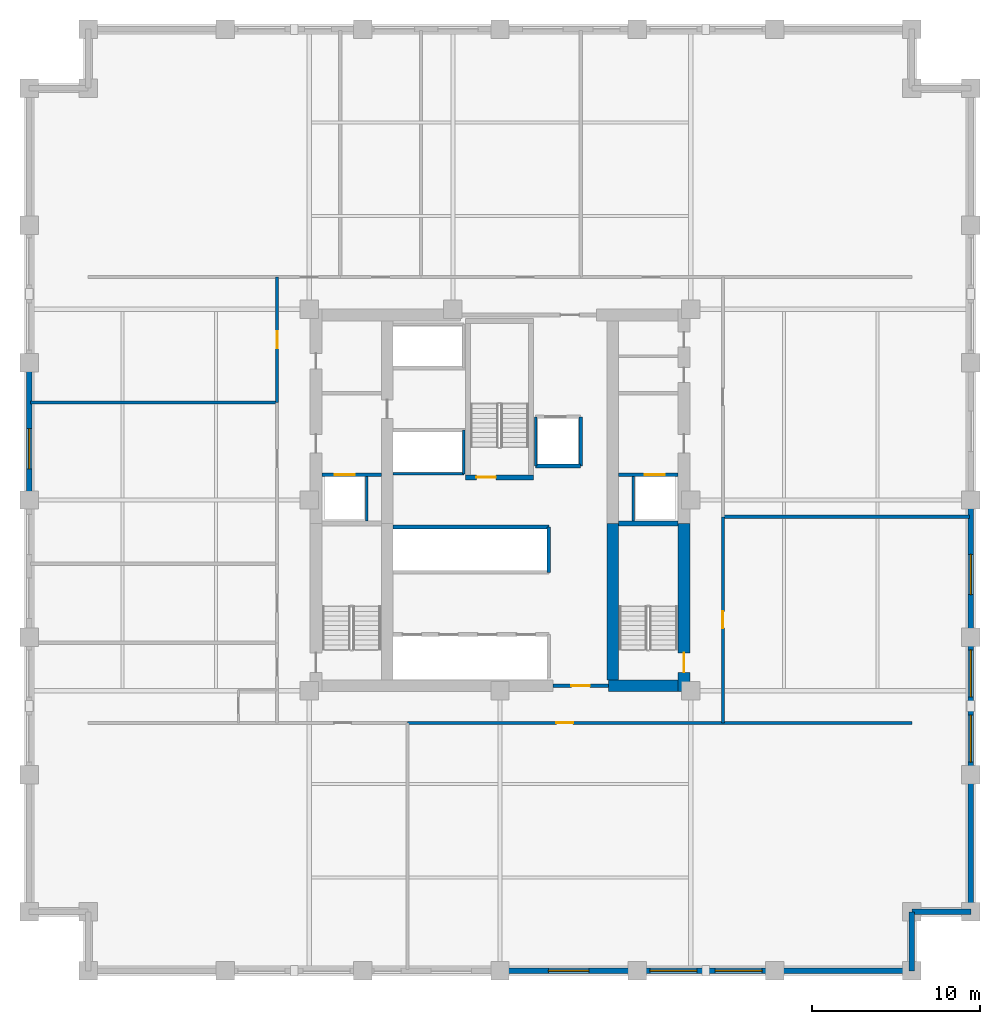
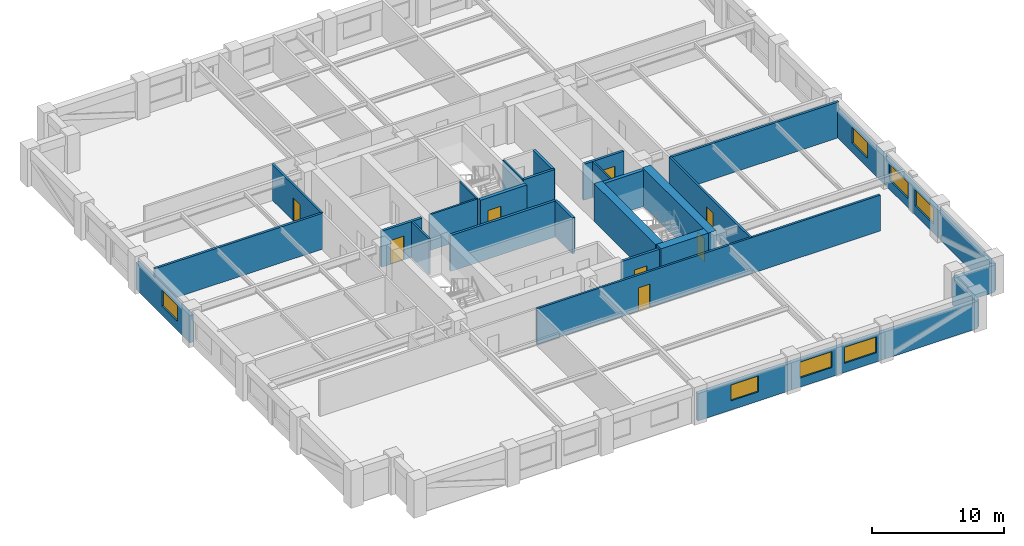
# One storey, part 3 of 6: 31 walls, 8 doors, 7 windows, 15 openings.
"""IFC4 building model written with IfcOpenShell, lengths in metres."""

from ifc_helpers import new_model, si_unit, direction, frame, frame_2d, origin, place, context, subcontext, project, spatial, rectangle, extrude, material, layer, layer_set, type_object, element, fill, save


model = new_model("IFC4")

# Units and contexts
model_context = context("Model", 3, precision=1e-05, world=origin(), true_north=direction((0.0, 1.0)))
body_context = subcontext(model_context, "Body", "Model", "MODEL_VIEW")
ifc_project = project(units=[si_unit("LENGTHUNIT", "METRE"), si_unit("AREAUNIT", "SQUARE_METRE"), si_unit("VOLUMEUNIT", "CUBIC_METRE"), si_unit("PLANEANGLEUNIT", "RADIAN"), si_unit("MASSUNIT", "GRAM", prefix="KILO")], contexts=[model_context])

# Site, building, storey
site_placement = place(None, origin())
site = spatial("IfcSite", under=ifc_project, at=site_placement, CompositionType="ELEMENT")
building_placement = place(site_placement, origin())
building = spatial("IfcBuilding", under=site, at=building_placement, Name="Nhamokura Convention Tower", CompositionType="ELEMENT")
storey_placement = place(building_placement, frame((0.0, 0.0, 82.25)))
storey = spatial("IfcBuildingStorey", under=building, at=storey_placement, Name="L19", CompositionType="ELEMENT", Elevation=82.25)

# Wall, opening, window
ifc_material_1 = material(Name="Bronze-pigmented precast concrete C45/55", Category="concrete")
ifc_layer_1 = layer(ifc_material_1, 0.320068359375)
ifc_layer_set_1 = layer_set([ifc_layer_1], Name="BronzePrecastSpandrel_320")
wall_type_1 = type_object("IfcWallType", Name="BronzePrecastSpandrel_320", PredefinedType="USERDEFINED", material=ifc_layer_set_1)
wall_1_placement = place(storey_placement, frame((40.166748046875, 4.0, 0.0), z_axis=(0.0, 0.0, 1.0), x_axis=(-1.0, 0.0, 0.0)))
wall_1 = element("IfcWall", 1, at=wall_1_placement, inside=storey, type_object=wall_type_1, Name="L19 Masonry-Frame Wall SOUTH 3", ObjectType="SPANDREL_WALL", PredefinedType="USERDEFINED", context=body_context, shape_type="SweptSolid", body=[
    extrude(rectangle(XDim=8.166748046875, YDim=0.320068359375, at=frame_2d((4.08349609375, 0.0))), origin(), (0.0, 0.0, 1.0), 2.52001953125),
])
opening_1_placement = place(wall_1_placement, frame((2.88330078125, 0.0, 0.85009765625)))
opening_1 = element("IfcOpeningElement", 2, at=opening_1_placement, cuts=wall_1, Name="Opening W-03", PredefinedType="OPENING", context=body_context, shape_type="SweptSolid", body=[
    extrude(rectangle(XDim=2.39990234375, YDim=1.469970703125, at=frame_2d((1.199951171875, 0.73486328125))), frame((0.0, 0.169921875, 0.0), z_axis=(0.0, -1.0, 0.0), x_axis=(1.0, 0.0, 0.0)), (0.0, 0.0, 1.0), 0.340087890625),
])
ifc_material_2 = material(Name="Solar-control bronze low-E double glass", Category="glass")
window_type_1 = type_object("IfcWindowType", Name="HotelBayWindow_2400", PartitioningType="DOUBLE_PANEL_VERTICAL", PredefinedType="WINDOW", material=ifc_material_2)
window_1_placement = place(opening_1_placement, origin())
window_1 = element("IfcWindow", 3, at=window_1_placement, inside=storey, type_object=window_type_1, Name="L19 Facade Window SOUTH 3", OverallHeight=1.469970703125, OverallWidth=2.39990234375, PartitioningType="SINGLE_PANEL", PredefinedType="WINDOW", context=body_context, shape_type="SweptSolid", body=[
    extrude(rectangle(XDim=2.39990234375, YDim=1.469970703125, at=frame_2d((1.199951171875, 0.73486328125))), frame((0.0, 0.030029296875, 0.0), z_axis=(0.0, -1.0, 0.0), x_axis=(1.0, 0.0, 0.0)), (0.0, 0.0, 1.0), 0.06005859375),
])
fill(opening_1, window_1)

# Wall, openings, windows
wall_2_placement = place(storey_placement, frame((48.333251953125, 4.0, 0.0), z_axis=(0.0, 0.0, 1.0), x_axis=(-1.0, 0.0, 0.0)))
wall_2 = element("IfcWall", 4, at=wall_2_placement, inside=storey, type_object=wall_type_1, Name="L19 Masonry-Frame Wall SOUTH 4", ObjectType="SPANDREL_WALL", PredefinedType="USERDEFINED", context=body_context, shape_type="SweptSolid", body=[
    extrude(rectangle(XDim=8.16650390625, YDim=0.320068359375, at=frame_2d((4.083251953125, 0.0))), origin(), (0.0, 0.0, 1.0), 2.52001953125),
])
opening_2_placement = place(wall_2_placement, frame((0.74169921875, 0.0, 0.85009765625)))
opening_2 = element("IfcOpeningElement", 5, at=opening_2_placement, cuts=wall_2, Name="Opening W-04", PredefinedType="OPENING", context=body_context, shape_type="SweptSolid", body=[
    extrude(rectangle(XDim=2.800048828125, YDim=1.469970703125, at=frame_2d((1.39990234375, 0.73486328125))), frame((0.0, 0.169921875, 0.0), z_axis=(0.0, -1.0, 0.0), x_axis=(1.0, 0.0, 0.0)), (0.0, 0.0, 1.0), 0.340087890625),
])
opening_3_placement = place(wall_2_placement, frame((4.625, 0.0, 0.85009765625)))
opening_3 = element("IfcOpeningElement", 6, at=opening_3_placement, cuts=wall_2, Name="Opening W-04", PredefinedType="OPENING", context=body_context, shape_type="SweptSolid", body=[
    extrude(rectangle(XDim=2.800048828125, YDim=1.469970703125, at=frame_2d((1.39990234375, 0.73486328125))), frame((0.0, 0.169921875, 0.0), z_axis=(0.0, -1.0, 0.0), x_axis=(1.0, 0.0, 0.0)), (0.0, 0.0, 1.0), 0.340087890625),
])
ifc_material_3 = material(Name="Solar-control bronze low-E double glass", Category="glass")
window_type_2 = type_object("IfcWindowType", Name="HotelSuiteWindow_2800", PartitioningType="DOUBLE_PANEL_VERTICAL", PredefinedType="WINDOW", material=ifc_material_3)
window_2_placement = place(opening_2_placement, origin())
window_2 = element("IfcWindow", 7, at=window_2_placement, inside=storey, type_object=window_type_2, Name="L19 Facade Window SOUTH 4-1", OverallHeight=1.469970703125, OverallWidth=2.800048828125, PartitioningType="SINGLE_PANEL", PredefinedType="WINDOW", context=body_context, shape_type="SweptSolid", body=[
    extrude(rectangle(XDim=2.800048828125, YDim=1.469970703125, at=frame_2d((1.39990234375, 0.73486328125))), frame((0.0, 0.030029296875, 0.0), z_axis=(0.0, -1.0, 0.0), x_axis=(1.0, 0.0, 0.0)), (0.0, 0.0, 1.0), 0.06005859375),
])
fill(opening_2, window_2)
window_3_placement = place(opening_3_placement, origin())
window_3 = element("IfcWindow", 8, at=window_3_placement, inside=storey, type_object=window_type_2, Name="L19 Facade Window SOUTH 4-2", OverallHeight=1.469970703125, OverallWidth=2.800048828125, PartitioningType="SINGLE_PANEL", PredefinedType="WINDOW", context=body_context, shape_type="SweptSolid", body=[
    extrude(rectangle(XDim=2.800048828125, YDim=1.469970703125, at=frame_2d((1.39990234375, 0.73486328125))), frame((0.0, 0.030029296875, 0.0), z_axis=(0.0, -1.0, 0.0), x_axis=(1.0, 0.0, 0.0)), (0.0, 0.0, 1.0), 0.06005859375),
])
fill(opening_3, window_3)

# Wall
wall_3_placement = place(storey_placement, frame((56.5, 4.0, 0.0), z_axis=(0.0, 0.0, 1.0), x_axis=(-1.0, 0.0, 0.0)))
element("IfcWall", 9, at=wall_3_placement, inside=storey, type_object=wall_type_1, Name="L19 Braced-Bay Precast Wall SOUTH 5", ObjectType="SPANDREL_WALL", PredefinedType="USERDEFINED", context=body_context, shape_type="SweptSolid", body=[
    extrude(rectangle(XDim=8.166748046875, YDim=0.320068359375, at=frame_2d((4.08349609375, 0.0))), origin(), (0.0, 0.0, 1.0), 2.52001953125),
])

# Wall, opening, window
wall_4_placement = place(storey_placement, frame((4.0, 32.0, 0.0), z_axis=(0.0, 0.0, 1.0), x_axis=(0.0, 1.0, 0.0)))
wall_4 = element("IfcWall", 10, at=wall_4_placement, inside=storey, type_object=wall_type_1, Name="L19 Masonry-Frame Wall WEST 3", ObjectType="SPANDREL_WALL", PredefinedType="USERDEFINED", context=body_context, shape_type="SweptSolid", body=[
    extrude(rectangle(XDim=8.166748046875, YDim=0.320068359375, at=frame_2d((4.08349609375, 0.0))), origin(), (0.0, 0.0, 1.0), 2.52001953125),
])
opening_4_placement = place(wall_4_placement, frame((1.85009765625, 0.0, 0.85009765625)))
opening_4 = element("IfcOpeningElement", 11, at=opening_4_placement, cuts=wall_4, Name="Opening W-03", PredefinedType="OPENING", context=body_context, shape_type="SweptSolid", body=[
    extrude(rectangle(XDim=2.39990234375, YDim=1.469970703125, at=frame_2d((1.199951171875, 0.73486328125))), frame((0.0, 0.169921875, 0.0), z_axis=(0.0, -1.0, 0.0), x_axis=(1.0, 0.0, 0.0)), (0.0, 0.0, 1.0), 0.340087890625),
])
window_4_placement = place(opening_4_placement, origin())
window_4 = element("IfcWindow", 12, at=window_4_placement, inside=storey, type_object=window_type_1, Name="L19 Facade Window WEST 3-1", OverallHeight=1.469970703125, OverallWidth=2.39990234375, PartitioningType="SINGLE_PANEL", PredefinedType="WINDOW", context=body_context, shape_type="SweptSolid", body=[
    extrude(rectangle(XDim=2.39990234375, YDim=1.469970703125, at=frame_2d((1.199951171875, 0.73486328125))), frame((0.0, 0.030029296875, 0.0), z_axis=(0.0, -1.0, 0.0), x_axis=(1.0, 0.0, 0.0)), (0.0, 0.0, 1.0), 0.06005859375),
])
fill(opening_4, window_4)

# Wall
wall_5_placement = place(storey_placement, frame((60.0, 15.666748046875, 0.0), z_axis=(0.0, 0.0, 1.0), x_axis=(0.0, -1.0, 0.0)))
element("IfcWall", 13, at=wall_5_placement, inside=storey, type_object=wall_type_1, Name="L19 Braced-Bay Precast Wall EAST 0", ObjectType="SPANDREL_WALL", PredefinedType="USERDEFINED", context=body_context, shape_type="SweptSolid", body=[
    extrude(rectangle(XDim=8.166748046875, YDim=0.320068359375, at=frame_2d((4.08349609375, 0.0))), origin(), (0.0, 0.0, 1.0), 2.52001953125),
])

# Wall, openings, windows
wall_6_placement = place(storey_placement, frame((60.0, 23.833251953125, 0.0), z_axis=(0.0, 0.0, 1.0), x_axis=(0.0, -1.0, 0.0)))
wall_6 = element("IfcWall", 14, at=wall_6_placement, inside=storey, type_object=wall_type_1, Name="L19 Masonry-Frame Wall EAST 1", ObjectType="SPANDREL_WALL", PredefinedType="USERDEFINED", context=body_context, shape_type="SweptSolid", body=[
    extrude(rectangle(XDim=8.16650390625, YDim=0.320068359375, at=frame_2d((4.083251953125, 0.0))), origin(), (0.0, 0.0, 1.0), 2.52001953125),
])
opening_5_placement = place(wall_6_placement, frame((0.74169921875, 0.0, 0.85009765625)))
opening_5 = element("IfcOpeningElement", 15, at=opening_5_placement, cuts=wall_6, Name="Opening W-04", PredefinedType="OPENING", context=body_context, shape_type="SweptSolid", body=[
    extrude(rectangle(XDim=2.800048828125, YDim=1.469970703125, at=frame_2d((1.39990234375, 0.73486328125))), frame((0.0, 0.169921875, 0.0), z_axis=(0.0, -1.0, 0.0), x_axis=(1.0, 0.0, 0.0)), (0.0, 0.0, 1.0), 0.340087890625),
])
opening_6_placement = place(wall_6_placement, frame((4.625, 0.0, 0.85009765625)))
opening_6 = element("IfcOpeningElement", 16, at=opening_6_placement, cuts=wall_6, Name="Opening W-04", PredefinedType="OPENING", context=body_context, shape_type="SweptSolid", body=[
    extrude(rectangle(XDim=2.800048828125, YDim=1.469970703125, at=frame_2d((1.39990234375, 0.73486328125))), frame((0.0, 0.169921875, 0.0), z_axis=(0.0, -1.0, 0.0), x_axis=(1.0, 0.0, 0.0)), (0.0, 0.0, 1.0), 0.340087890625),
])
window_5_placement = place(opening_5_placement, origin())
window_5 = element("IfcWindow", 17, at=window_5_placement, inside=storey, type_object=window_type_2, Name="L19 Facade Window EAST 1-1", OverallHeight=1.469970703125, OverallWidth=2.800048828125, PartitioningType="SINGLE_PANEL", PredefinedType="WINDOW", context=body_context, shape_type="SweptSolid", body=[
    extrude(rectangle(XDim=2.800048828125, YDim=1.469970703125, at=frame_2d((1.39990234375, 0.73486328125))), frame((0.0, 0.030029296875, 0.0), z_axis=(0.0, -1.0, 0.0), x_axis=(1.0, 0.0, 0.0)), (0.0, 0.0, 1.0), 0.06005859375),
])
fill(opening_5, window_5)
window_6_placement = place(opening_6_placement, origin())
window_6 = element("IfcWindow", 18, at=window_6_placement, inside=storey, type_object=window_type_2, Name="L19 Facade Window EAST 1-2", OverallHeight=1.469970703125, OverallWidth=2.800048828125, PartitioningType="SINGLE_PANEL", PredefinedType="WINDOW", context=body_context, shape_type="SweptSolid", body=[
    extrude(rectangle(XDim=2.800048828125, YDim=1.469970703125, at=frame_2d((1.39990234375, 0.73486328125))), frame((0.0, 0.030029296875, 0.0), z_axis=(0.0, -1.0, 0.0), x_axis=(1.0, 0.0, 0.0)), (0.0, 0.0, 1.0), 0.06005859375),
])
fill(opening_6, window_6)

# Wall, opening, window
wall_7_placement = place(storey_placement, frame((60.0, 32.0, 0.0), z_axis=(0.0, 0.0, 1.0), x_axis=(0.0, -1.0, 0.0)))
wall_7 = element("IfcWall", 19, at=wall_7_placement, inside=storey, type_object=wall_type_1, Name="L19 Masonry-Frame Wall EAST 2", ObjectType="SPANDREL_WALL", PredefinedType="USERDEFINED", context=body_context, shape_type="SweptSolid", body=[
    extrude(rectangle(XDim=8.166748046875, YDim=0.320068359375, at=frame_2d((4.08349609375, 0.0))), origin(), (0.0, 0.0, 1.0), 2.52001953125),
])
opening_7_placement = place(wall_7_placement, frame((3.2333984375, 0.0, 0.85009765625)))
opening_7 = element("IfcOpeningElement", 20, at=opening_7_placement, cuts=wall_7, Name="Opening W-03", PredefinedType="OPENING", context=body_context, shape_type="SweptSolid", body=[
    extrude(rectangle(XDim=2.39990234375, YDim=1.469970703125, at=frame_2d((1.199951171875, 0.73486328125))), frame((0.0, 0.169921875, 0.0), z_axis=(0.0, -1.0, 0.0), x_axis=(1.0, 0.0, 0.0)), (0.0, 0.0, 1.0), 0.340087890625),
])
window_7_placement = place(opening_7_placement, origin())
window_7 = element("IfcWindow", 21, at=window_7_placement, inside=storey, type_object=window_type_1, Name="L19 Facade Window EAST 2-2", OverallHeight=1.469970703125, OverallWidth=2.39990234375, PartitioningType="SINGLE_PANEL", PredefinedType="WINDOW", context=body_context, shape_type="SweptSolid", body=[
    extrude(rectangle(XDim=2.39990234375, YDim=1.469970703125, at=frame_2d((1.199951171875, 0.73486328125))), frame((0.0, 0.030029296875, 0.0), z_axis=(0.0, -1.0, 0.0), x_axis=(1.0, 0.0, 0.0)), (0.0, 0.0, 1.0), 0.06005859375),
])
fill(opening_7, window_7)

# Walls
for number, where, z_axis, x_axis, name in (
    (22, (56.5, 7.5, 0.0), (0.0, 0.0, 1.0), (0.0, -1.0, 0.0), "L19 Notched Corner Wall SE1"),
    (23, (60.0, 7.5, 0.0), (0.0, 0.0, 1.0), (-1.0, 0.0, 0.0), "L19 Notched Corner Wall SE2"),
):
    element("IfcWall", number, at=place(storey_placement, frame(where, z_axis=z_axis, x_axis=x_axis)), inside=storey, type_object=wall_type_1, Name=name, ObjectType="SPANDREL_WALL", PredefinedType="USERDEFINED", context=body_context, shape_type="SweptSolid", body=[
        extrude(rectangle(XDim=3.5, YDim=0.320068359375, at=frame_2d((1.75, 0.0))), origin(), (0.0, 0.0, 1.0), 2.52001953125),
    ])

# Wall, opening, door
ifc_material_4 = material(Name="Concrete C70/85", Category="concrete")
ifc_layer_2 = layer(ifc_material_4, 0.699951171875)
ifc_layer_set_2 = layer_set([ifc_layer_2], Name="CoreShearWall_700")
wall_type_2 = type_object("IfcWallType", Name="CoreShearWall_700", PredefinedType="SHEAR", material=ifc_layer_set_2)
wall_8_placement = place(storey_placement, frame((42.93994140625, 20.60009765625, 0.0), z_axis=(0.0, 0.0, 1.0), x_axis=(0.0, 1.0, 0.0)))
wall_8 = element("IfcWall", 24, at=wall_8_placement, inside=storey, type_object=wall_type_2, Name="L19 Core Shear Wall CW-ES", PredefinedType="SHEAR", context=body_context, shape_type="SweptSolid", body=[
    extrude(rectangle(XDim=10.0, YDim=0.699951171875, at=frame_2d((5.0, 0.0))), origin(), (0.0, 0.0, 1.0), 3.5),
])
opening_8_placement = place(wall_8_placement, frame((1.14990234375, 0.0, 0.0)))
opening_8 = element("IfcOpeningElement", 25, at=opening_8_placement, cuts=wall_8, Name="Opening D-04", PredefinedType="OPENING", context=body_context, shape_type="SweptSolid", body=[
    extrude(rectangle(XDim=1.14990234375, YDim=2.14990234375, at=frame_2d((0.574951171875, 1.074951171875))), frame((0.0, 0.35986328125, 0.0), z_axis=(0.0, -1.0, 0.0), x_axis=(1.0, 0.0, 0.0)), (0.0, 0.0, 1.0), 0.719970703125),
])
ifc_material_5 = material(Name="Fire-rated steel door", Category="steel")
door_type_1 = type_object("IfcDoorType", Name="StairSmokeDoor_1150", OperationType="NOTDEFINED", PredefinedType="DOOR", material=ifc_material_5)
door_1_placement = place(opening_8_placement, origin())
door_1 = element("IfcDoor", 26, at=door_1_placement, inside=storey, type_object=door_type_1, Name="L19 Core Door INT-L19-D-ST02", OperationType="SINGLE_SWING_RIGHT", OverallHeight=2.14990234375, OverallWidth=1.14990234375, PredefinedType="DOOR", context=body_context, shape_type="SweptSolid", body=[
    extrude(rectangle(XDim=1.14990234375, YDim=2.14990234375, at=frame_2d((0.574951171875, 1.074951171875))), frame((0.0, 0.02490234375, 0.0), z_axis=(0.0, -1.0, 0.0), x_axis=(1.0, 0.0, 0.0)), (0.0, 0.0, 1.0), 0.050048828125),
])
fill(opening_8, door_1)

# Walls
wall_9_placement = place(storey_placement, frame((38.449951171875, 20.949951171875, 0.0), z_axis=(0.0, 0.0, 1.0), x_axis=(1.0, 0.0, 0.0)))
element("IfcWall", 27, at=wall_9_placement, inside=storey, type_object=wall_type_2, Name="L19 Core Shear Wall CW-S2", PredefinedType="SHEAR", context=body_context, shape_type="SweptSolid", body=[
    extrude(rectangle(XDim=4.14013671875, YDim=0.699951171875, at=frame_2d((2.070068359375, 0.0))), origin(), (0.0, 0.0, 1.0), 3.5),
])
wall_10_placement = place(storey_placement, frame((38.7099609375, 21.300048828125, 0.0), z_axis=(0.0, 0.0, 1.0), x_axis=(0.0, 1.0, 0.0)))
element("IfcWall", 28, at=wall_10_placement, inside=storey, type_object=wall_type_2, Name="L19 Core Shear Wall CW-IES", PredefinedType="SHEAR", context=body_context, shape_type="SweptSolid", body=[
    extrude(rectangle(XDim=9.300048828125, YDim=0.699951171875, at=frame_2d((4.64990234375, 0.0))), origin(), (0.0, 0.0, 1.0), 3.5),
])

# Wall, opening, door
ifc_material_6 = material(Name="Fire-rated gypsum and masonry partition", Category="masonry")
ifc_layer_3 = layer(ifc_material_6, 0.179931640625)
ifc_layer_set_3 = layer_set([ifc_layer_3], Name="CorridorRatedWall_180")
wall_type_3 = type_object("IfcWallType", Name="CorridorRatedWall_180", PredefinedType="STANDARD", material=ifc_layer_set_3)
wall_11_placement = place(storey_placement, frame((26.5, 18.75, 0.0), z_axis=(0.0, 0.0, 1.0), x_axis=(1.0, 0.0, 0.0)))
wall_11 = element("IfcWall", 29, at=wall_11_placement, inside=storey, type_object=wall_type_3, Name="L19 Wall INT-L19-CW-S01", PredefinedType="STANDARD", context=body_context, shape_type="SweptSolid", body=[
    extrude(rectangle(XDim=30.0, YDim=0.179931640625, at=frame_2d((15.0, 0.0))), origin(), (0.0, 0.0, 1.0), 3.320068359375),
])
opening_9_placement = place(wall_11_placement, frame((8.85009765625, 0.0, 0.0)))
opening_9 = element("IfcOpeningElement", 30, at=opening_9_placement, cuts=wall_11, Name="Opening D-07", PredefinedType="OPENING", context=body_context, shape_type="SweptSolid", body=[
    extrude(rectangle(XDim=1.0, YDim=2.14990234375, at=frame_2d((0.5, 1.074951171875))), frame((0.0, 0.099853515625, 0.0), z_axis=(0.0, -1.0, 0.0), x_axis=(1.0, 0.0, 0.0)), (0.0, 0.0, 1.0), 0.199951171875),
])
ifc_material_7 = material(Name="Solid oak hardwood", Category="wood")
door_type_2 = type_object("IfcDoorType", Name="HotelSuiteEntryDoor_1000", OperationType="NOTDEFINED", PredefinedType="DOOR", material=ifc_material_7)
door_2_placement = place(opening_9_placement, origin())
door_2 = element("IfcDoor", 31, at=door_2_placement, inside=storey, type_object=door_type_2, Name="L19 Private Dining Room S02 Door", OperationType="SINGLE_SWING_RIGHT", OverallHeight=2.14990234375, OverallWidth=1.0, PredefinedType="DOOR", context=body_context, shape_type="SweptSolid", body=[
    extrude(rectangle(XDim=1.0, YDim=2.14990234375, at=frame_2d((0.5, 1.074951171875))), frame((0.0, 0.02490234375, 0.0), z_axis=(0.0, -1.0, 0.0), x_axis=(1.0, 0.0, 0.0)), (0.0, 0.0, 1.0), 0.050048828125),
])
fill(opening_9, door_2)

wall_12_placement = place(storey_placement, frame((18.75, 37.800048828125, 0.0), z_axis=(0.0, 0.0, 1.0), x_axis=(0.0, 1.0, 0.0)))
wall_12 = element("IfcWall", 32, at=wall_12_placement, inside=storey, type_object=wall_type_3, Name="L19 Wall INT-L19-CW-W03", PredefinedType="STANDARD", context=body_context, shape_type="SweptSolid", body=[
    extrude(rectangle(XDim=7.449951171875, YDim=0.179931640625, at=frame_2d((3.72509765625, 0.0))), origin(), (0.0, 0.0, 1.0), 3.320068359375),
])
opening_10_placement = place(wall_12_placement, frame((3.22509765625, 0.0, 0.0)))
opening_10 = element("IfcOpeningElement", 33, at=opening_10_placement, cuts=wall_12, Name="Opening D-07", PredefinedType="OPENING", context=body_context, shape_type="SweptSolid", body=[
    extrude(rectangle(XDim=1.0, YDim=2.14990234375, at=frame_2d((0.5, 1.074951171875))), frame((0.0, 0.099853515625, 0.0), z_axis=(0.0, -1.0, 0.0), x_axis=(1.0, 0.0, 0.0)), (0.0, 0.0, 1.0), 0.199951171875),
])
door_3_placement = place(opening_10_placement, origin())
door_3 = element("IfcDoor", 34, at=door_3_placement, inside=storey, type_object=door_type_2, Name="L19 Conference Salon W04 Door", OperationType="SINGLE_SWING_RIGHT", OverallHeight=2.14990234375, OverallWidth=1.0, PredefinedType="DOOR", context=body_context, shape_type="SweptSolid", body=[
    extrude(rectangle(XDim=1.0, YDim=2.14990234375, at=frame_2d((0.5, 1.074951171875))), frame((0.0, 0.02490234375, 0.0), z_axis=(0.0, -1.0, 0.0), x_axis=(1.0, 0.0, 0.0)), (0.0, 0.0, 1.0), 0.050048828125),
])
fill(opening_10, door_3)

wall_13_placement = place(storey_placement, frame((45.25, 18.75, 0.0), z_axis=(0.0, 0.0, 1.0), x_axis=(0.0, 1.0, 0.0)))
wall_13 = element("IfcWall", 35, at=wall_13_placement, inside=storey, type_object=wall_type_3, Name="L19 Wall INT-L19-CW-E00", PredefinedType="STANDARD", context=body_context, shape_type="SweptSolid", body=[
    extrude(rectangle(XDim=12.25, YDim=0.179931640625, at=frame_2d((6.125, 0.0))), origin(), (0.0, 0.0, 1.0), 3.320068359375),
])
opening_11_placement = place(wall_13_placement, frame((5.625, 0.0, 0.0)))
opening_11 = element("IfcOpeningElement", 36, at=opening_11_placement, cuts=wall_13, Name="Opening D-07", PredefinedType="OPENING", context=body_context, shape_type="SweptSolid", body=[
    extrude(rectangle(XDim=1.0, YDim=2.14990234375, at=frame_2d((0.5, 1.074951171875))), frame((0.0, 0.099853515625, 0.0), z_axis=(0.0, -1.0, 0.0), x_axis=(1.0, 0.0, 0.0)), (0.0, 0.0, 1.0), 0.199951171875),
])
door_4_placement = place(opening_11_placement, origin())
door_4 = element("IfcDoor", 37, at=door_4_placement, inside=storey, type_object=door_type_2, Name="L19 Wellness Gym Studio E01 Door", OperationType="SINGLE_SWING_LEFT", OverallHeight=2.14990234375, OverallWidth=1.0, PredefinedType="DOOR", context=body_context, shape_type="SweptSolid", body=[
    extrude(rectangle(XDim=1.0, YDim=2.14990234375, at=frame_2d((0.5, 1.074951171875))), frame((0.0, 0.02490234375, 0.0), z_axis=(0.0, -1.0, 0.0), x_axis=(1.0, 0.0, 0.0)), (0.0, 0.0, 1.0), 0.050048828125),
])
fill(opening_11, door_4)

ifc_material_8 = material(Name="Autoclaved concrete blockwork", Category="masonry")
ifc_layer_4 = layer(ifc_material_8, 0.219970703125)
ifc_layer_set_4 = layer_set([ifc_layer_4], Name="FireLobbyWall_220")
wall_type_4 = type_object("IfcWallType", Name="FireLobbyWall_220", PredefinedType="STANDARD", material=ifc_layer_set_4)
wall_14_placement = place(storey_placement, frame((21.409912109375, 33.5, 0.0), z_axis=(0.0, 0.0, 1.0), x_axis=(1.0, 0.0, 0.0)))
wall_14 = element("IfcWall", 38, at=wall_14_placement, inside=storey, type_object=wall_type_4, Name="L19 Wall INT-L19-FFW-S", PredefinedType="STANDARD", context=body_context, shape_type="SweptSolid", body=[
    extrude(rectangle(XDim=3.530029296875, YDim=0.219970703125, at=frame_2d((1.76513671875, 0.0))), origin(), (0.0, 0.0, 1.0), 3.320068359375),
])
opening_12_placement = place(wall_14_placement, frame((0.75, 0.0, 0.0)))
opening_12 = element("IfcOpeningElement", 39, at=opening_12_placement, cuts=wall_14, Name="Opening LD-02", PredefinedType="OPENING", context=body_context, shape_type="SweptSolid", body=[
    extrude(rectangle(XDim=1.199951171875, YDim=2.199951171875, at=frame_2d((0.60009765625, 1.10009765625))), frame((0.0, 0.119873046875, 0.0), z_axis=(0.0, -1.0, 0.0), x_axis=(1.0, 0.0, 0.0)), (0.0, 0.0, 1.0), 0.239990234375),
])
ifc_material_9 = material(Name="Anodised bronze stainless steel", Category="steel")
door_type_3 = type_object("IfcDoorType", Name="LiftLandingDoor_FireService", OperationType="DOUBLE_DOOR_SLIDING", PredefinedType="DOOR", material=ifc_material_9)
door_5_placement = place(opening_12_placement, origin())
door_5 = element("IfcDoor", 40, at=door_5_placement, inside=storey, type_object=door_type_3, Name="L19 Firefighting Lift LF-01 Door", OperationType="DOUBLE_DOOR_SLIDING", OverallHeight=2.199951171875, OverallWidth=1.199951171875, PredefinedType="DOOR", context=body_context, shape_type="SweptSolid", body=[
    extrude(rectangle(XDim=1.199951171875, YDim=2.199951171875, at=frame_2d((0.60009765625, 1.10009765625))), frame((0.0, 0.02490234375, 0.0), z_axis=(0.0, -1.0, 0.0), x_axis=(1.0, 0.0, 0.0)), (0.0, 0.0, 1.0), 0.050048828125),
])
fill(opening_12, door_5)

wall_15_placement = place(storey_placement, frame((39.06005859375, 33.5, 0.0), z_axis=(0.0, 0.0, 1.0), x_axis=(1.0, 0.0, 0.0)))
wall_15 = element("IfcWall", 41, at=wall_15_placement, inside=storey, type_object=wall_type_4, Name="L19 Wall INT-L19-FFE-S", PredefinedType="STANDARD", context=body_context, shape_type="SweptSolid", body=[
    extrude(rectangle(XDim=3.530029296875, YDim=0.219970703125, at=frame_2d((1.76513671875, 0.0))), origin(), (0.0, 0.0, 1.0), 3.320068359375),
])
opening_13_placement = place(wall_15_placement, frame((1.550048828125, 0.0, 0.0)))
opening_13 = element("IfcOpeningElement", 42, at=opening_13_placement, cuts=wall_15, Name="Opening LD-02", PredefinedType="OPENING", context=body_context, shape_type="SweptSolid", body=[
    extrude(rectangle(XDim=1.199951171875, YDim=2.199951171875, at=frame_2d((0.60009765625, 1.10009765625))), frame((0.0, 0.119873046875, 0.0), z_axis=(0.0, -1.0, 0.0), x_axis=(1.0, 0.0, 0.0)), (0.0, 0.0, 1.0), 0.239990234375),
])
door_6_placement = place(opening_13_placement, origin())
door_6 = element("IfcDoor", 43, at=door_6_placement, inside=storey, type_object=door_type_3, Name="L19 Firefighting Lift LF-02 Door", OperationType="DOUBLE_DOOR_SLIDING", OverallHeight=2.199951171875, OverallWidth=1.199951171875, PredefinedType="DOOR", context=body_context, shape_type="SweptSolid", body=[
    extrude(rectangle(XDim=1.199951171875, YDim=2.199951171875, at=frame_2d((0.60009765625, 1.10009765625))), frame((0.0, 0.02490234375, 0.0), z_axis=(0.0, -1.0, 0.0), x_axis=(1.0, 0.0, 0.0)), (0.0, 0.0, 1.0), 0.050048828125),
])
fill(opening_13, door_6)

wall_16_placement = place(storey_placement, frame((35.14990234375, 20.949951171875, 0.0), z_axis=(0.0, 0.0, 1.0), x_axis=(1.0, 0.0, 0.0)))
wall_16 = element("IfcWall", 44, at=wall_16_placement, inside=storey, type_object=wall_type_4, Name="L19 Wall INT-L19-SPORT-S", PredefinedType="STANDARD", context=body_context, shape_type="SweptSolid", body=[
    extrude(rectangle(XDim=3.300048828125, YDim=0.219970703125, at=frame_2d((1.64990234375, 0.0))), origin(), (0.0, 0.0, 1.0), 3.320068359375),
])
opening_14_placement = place(wall_16_placement, frame((1.10009765625, 0.0, 0.0)))
opening_14 = element("IfcOpeningElement", 45, at=opening_14_placement, cuts=wall_16, Name="Opening D-05", PredefinedType="OPENING", context=body_context, shape_type="SweptSolid", body=[
    extrude(rectangle(XDim=1.10009765625, YDim=2.14990234375, at=frame_2d((0.550048828125, 1.074951171875))), frame((0.0, 0.119873046875, 0.0), z_axis=(0.0, -1.0, 0.0), x_axis=(1.0, 0.0, 0.0)), (0.0, 0.0, 1.0), 0.239990234375),
])
ifc_material_10 = material(Name="Fire-rated steel door", Category="steel")
door_type_4 = type_object("IfcDoorType", Name="FireLobbyDoor_1100", OperationType="NOTDEFINED", PredefinedType="DOOR", material=ifc_material_10)
door_7_placement = place(opening_14_placement, origin())
door_7 = element("IfcDoor", 46, at=door_7_placement, inside=storey, type_object=door_type_4, Name="L19 South Core Lobby Portal Door", OperationType="SINGLE_SWING_LEFT", OverallHeight=2.14990234375, OverallWidth=1.10009765625, PredefinedType="DOOR", context=body_context, shape_type="SweptSolid", body=[
    extrude(rectangle(XDim=1.10009765625, YDim=2.14990234375, at=frame_2d((0.550048828125, 1.074951171875))), frame((0.0, 0.02490234375, 0.0), z_axis=(0.0, -1.0, 0.0), x_axis=(1.0, 0.0, 0.0)), (0.0, 0.0, 1.0), 0.050048828125),
])
fill(opening_14, door_7)

# Walls
wall_17_placement = place(storey_placement, frame((25.64990234375, 30.39990234375, 0.0), z_axis=(0.0, 0.0, 1.0), x_axis=(1.0, 0.0, 0.0)))
element("IfcWall", 47, at=wall_17_placement, inside=storey, type_object=wall_type_4, Name="L19 Wall INT-L19-B2N", PredefinedType="STANDARD", context=body_context, shape_type="SweptSolid", body=[
    extrude(rectangle(XDim=9.25, YDim=0.219970703125, at=frame_2d((4.625, 0.0))), origin(), (0.0, 0.0, 1.0), 3.320068359375),
])
wall_18_placement = place(storey_placement, frame((34.89990234375, 27.699951171875, 0.0), z_axis=(0.0, 0.0, 1.0), x_axis=(0.0, 1.0, 0.0)))
element("IfcWall", 48, at=wall_18_placement, inside=storey, type_object=wall_type_4, Name="L19 Wall INT-L19-B2E", PredefinedType="STANDARD", context=body_context, shape_type="SweptSolid", body=[
    extrude(rectangle(XDim=2.699951171875, YDim=0.219970703125, at=frame_2d((1.35009765625, 0.0))), origin(), (0.0, 0.0, 1.0), 3.320068359375),
])
wall_19_placement = place(storey_placement, frame((36.800048828125, 34.02001953125, 0.0), z_axis=(0.0, 0.0, 1.0), x_axis=(0.0, 1.0, 0.0)))
element("IfcWall", 49, at=wall_19_placement, inside=storey, type_object=wall_type_4, Name="L19 Wall INT-L19-LSE", PredefinedType="STANDARD", context=body_context, shape_type="SweptSolid", body=[
    extrude(rectangle(XDim=2.929931640625, YDim=0.219970703125, at=frame_2d((1.46484375, 0.0))), origin(), (0.0, 0.0, 1.0), 3.320068359375),
])
wall_20_placement = place(storey_placement, frame((34.1201171875, 34.02001953125, 0.0), z_axis=(0.0, 0.0, 1.0), x_axis=(1.0, 0.0, 0.0)))
element("IfcWall", 50, at=wall_20_placement, inside=storey, type_object=wall_type_4, Name="L19 Wall INT-L19-LSS", PredefinedType="STANDARD", context=body_context, shape_type="SweptSolid", body=[
    extrude(rectangle(XDim=2.679931640625, YDim=0.219970703125, at=frame_2d((1.33984375, 0.0))), origin(), (0.0, 0.0, 1.0), 3.320068359375),
])
ifc_material_11 = material(Name="Acoustic twin-stud gypsum partition", Category="masonry")
ifc_layer_5 = layer(ifc_material_11, 0.199951171875)
ifc_layer_set_5 = layer_set([ifc_layer_5], Name="HotelDemisingWall_200")
wall_type_5 = type_object("IfcWallType", Name="HotelDemisingWall_200", PredefinedType="STANDARD", material=ifc_layer_set_5)
for number, where, z_axis, x_axis, name in (
    (51, (4.06005859375, 37.800048828125, 0.0), (0.0, 0.0, 1.0), (1.0, 0.0, 0.0), "L19 Wall INT-L19-RW-W03"),
    (52, (45.25, 31.0, 0.0), (0.0, 0.0, 1.0), (1.0, 0.0, 0.0), "L19 Wall INT-L19-RW-E01"),
):
    element("IfcWall", number, at=place(storey_placement, frame(where, z_axis=z_axis, x_axis=x_axis)), inside=storey, type_object=wall_type_5, Name=name, PredefinedType="STANDARD", context=body_context, shape_type="SweptSolid", body=[
        extrude(rectangle(XDim=14.68994140625, YDim=0.199951171875, at=frame_2d((7.344970703125, 0.0))), origin(), (0.0, 0.0, 1.0), 3.320068359375),
    ])
ifc_material_12 = material(Name="Acoustic gypsum stud partition", Category="masonry")
ifc_layer_6 = layer(ifc_material_12, 0.14990234375)
ifc_layer_set_6 = layer_set([ifc_layer_6], Name="InteriorPartition_150")
wall_type_6 = type_object("IfcWallType", Name="InteriorPartition_150", PredefinedType="STANDARD", material=ifc_layer_set_6)
for number, where, z_axis, x_axis, name in (
    (53, (24.080078125, 30.75, 0.0), (0.0, 0.0, 1.0), (0.0, 1.0, 0.0), "L19 Wall INT-L19-FF1-E"),
    (54, (39.919921875, 30.75, 0.0), (0.0, 0.0, 1.0), (0.0, 1.0, 0.0), "L19 Wall INT-L19-FF2-W"),
):
    element("IfcWall", number, at=place(storey_placement, frame(where, z_axis=z_axis, x_axis=x_axis)), inside=storey, type_object=wall_type_6, Name=name, PredefinedType="STANDARD", context=body_context, shape_type="SweptSolid", body=[
        extrude(rectangle(XDim=2.64990234375, YDim=0.14990234375, at=frame_2d((1.324951171875, 0.0))), origin(), (0.0, 0.0, 1.0), 3.320068359375),
    ])
wall_21_placement = place(storey_placement, frame((25.64990234375, 33.550048828125, 0.0), z_axis=(0.0, 0.0, 1.0), x_axis=(1.0, 0.0, 0.0)))
element("IfcWall", 55, at=wall_21_placement, inside=storey, type_object=wall_type_6, Name="L19 Wall INT-L19-B3A-S", PredefinedType="STANDARD", context=body_context, shape_type="SweptSolid", body=[
    extrude(rectangle(XDim=4.2001953125, YDim=0.14990234375, at=frame_2d((2.10009765625, 0.0))), origin(), (0.0, 0.0, 1.0), 3.320068359375),
])
wall_22_placement = place(storey_placement, frame((29.85009765625, 33.550048828125, 0.0), z_axis=(0.0, 0.0, 1.0), x_axis=(0.0, 1.0, 0.0)))
element("IfcWall", 56, at=wall_22_placement, inside=storey, type_object=wall_type_6, Name="L19 Wall INT-L19-B3A-E", PredefinedType="STANDARD", context=body_context, shape_type="SweptSolid", body=[
    extrude(rectangle(XDim=2.599853515625, YDim=0.14990234375, at=frame_2d((1.2998046875, 0.0))), origin(), (0.0, 0.0, 1.0), 3.320068359375),
])
wall_23_placement = place(storey_placement, frame((34.1201171875, 34.02001953125, 0.0), z_axis=(0.0, 0.0, 1.0), x_axis=(0.0, 1.0, 0.0)))
element("IfcWall", 57, at=wall_23_placement, inside=storey, type_object=wall_type_6, Name="L19 Wall INT-L19-LSW", PredefinedType="STANDARD", context=body_context, shape_type="SweptSolid", body=[
    extrude(rectangle(XDim=2.929931640625, YDim=0.14990234375, at=frame_2d((1.46484375, 0.0))), origin(), (0.0, 0.0, 1.0), 3.320068359375),
])
ifc_material_13 = material(Name="Concrete C50/60", Category="concrete")
ifc_layer_7 = layer(ifc_material_13, 0.300048828125)
ifc_layer_set_7 = layer_set([ifc_layer_7], Name="ShaftEnclosureWall_300")
wall_type_7 = type_object("IfcWallType", Name="ShaftEnclosureWall_300", PredefinedType="SHEAR", material=ifc_layer_set_7)
wall_24_placement = place(storey_placement, frame((39.06005859375, 30.60009765625, 0.0), z_axis=(0.0, 0.0, 1.0), x_axis=(1.0, 0.0, 0.0)))
element("IfcWall", 58, at=wall_24_placement, inside=storey, type_object=wall_type_7, Name="L19 Wall INT-L19-ST02-N", PredefinedType="SHEAR", context=body_context, shape_type="SweptSolid", body=[
    extrude(rectangle(XDim=3.530029296875, YDim=0.300048828125, at=frame_2d((1.76513671875, 0.0))), origin(), (0.0, 0.0, 1.0), 3.320068359375),
])

# Wall, opening, door
wall_25_placement = place(storey_placement, frame((29.949951171875, 33.35009765625, 0.0), z_axis=(0.0, 0.0, 1.0), x_axis=(1.0, 0.0, 0.0)))
wall_25 = element("IfcWall", 59, at=wall_25_placement, inside=storey, type_object=wall_type_7, Name="L19 Wall INT-L19-ST03S", PredefinedType="SHEAR", context=body_context, shape_type="SweptSolid", body=[
    extrude(rectangle(XDim=4.050048828125, YDim=0.300048828125, at=frame_2d((2.02490234375, 0.0))), origin(), (0.0, 0.0, 1.0), 3.320068359375),
])
opening_15_placement = place(wall_25_placement, frame((0.64990234375, 0.0, 0.0)))
opening_15 = element("IfcOpeningElement", 60, at=opening_15_placement, cuts=wall_25, Name="Opening D-04", PredefinedType="OPENING", context=body_context, shape_type="SweptSolid", body=[
    extrude(rectangle(XDim=1.14990234375, YDim=2.14990234375, at=frame_2d((0.574951171875, 1.074951171875))), frame((0.0, 0.159912109375, 0.0), z_axis=(0.0, -1.0, 0.0), x_axis=(1.0, 0.0, 0.0)), (0.0, 0.0, 1.0), 0.320068359375),
])
door_8_placement = place(opening_15_placement, origin())
door_8 = element("IfcDoor", 61, at=door_8_placement, inside=storey, type_object=door_type_1, Name="L19 Stair ST-03 Smoke Door", OperationType="SINGLE_SWING_LEFT", OverallHeight=2.14990234375, OverallWidth=1.14990234375, PredefinedType="DOOR", context=body_context, shape_type="SweptSolid", body=[
    extrude(rectangle(XDim=1.14990234375, YDim=2.14990234375, at=frame_2d((0.574951171875, 1.074951171875))), frame((0.0, 0.02490234375, 0.0), z_axis=(0.0, -1.0, 0.0), x_axis=(1.0, 0.0, 0.0)), (0.0, 0.0, 1.0), 0.050048828125),
])
fill(opening_15, door_8)

save(model, "model.ifc")
